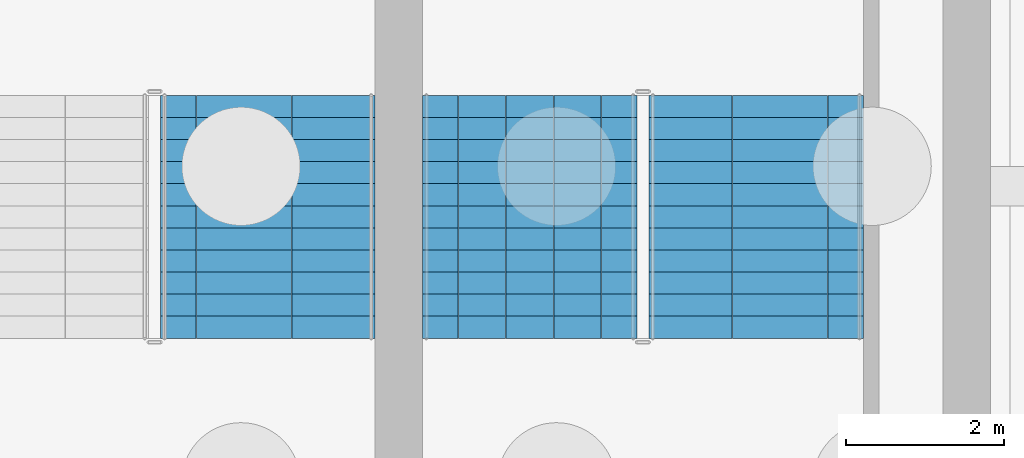
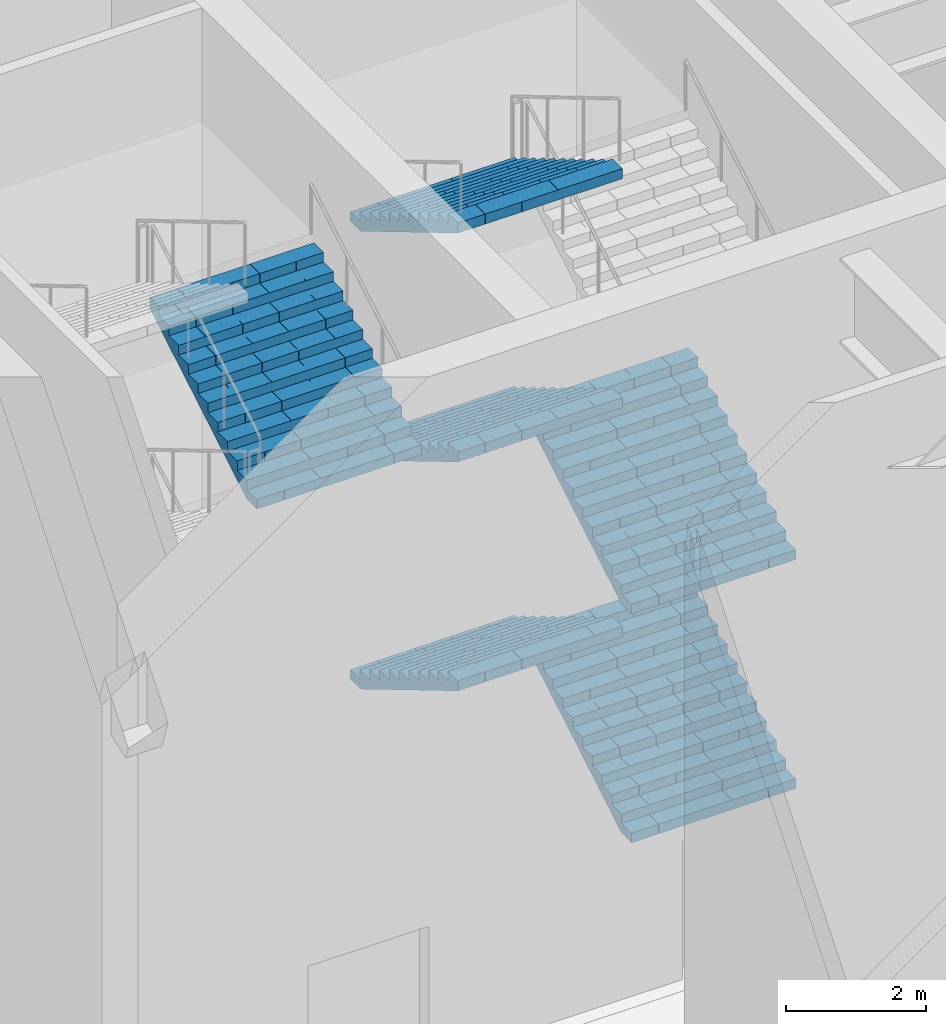
# One storey, part 20 of 34: 6 stair flights, 2 elements without a shape of their own.
"""IFC4 building model written with IfcOpenShell, lengths in metres."""

from ifc_helpers import new_model, si_unit, direction, frame, origin, place, context, subcontext, project, spatial, polyline, outline, extrude, material, type_object, element, aggregate, save


model = new_model("IFC4")

# Units and contexts
model_context = context("Model", 3, precision=1e-05, world=origin(), true_north=direction((0.0, 1.0)))
body_context = subcontext(model_context, "Body", "Model", "MODEL_VIEW")
ifc_project = project(units=[si_unit("LENGTHUNIT", "METRE"), si_unit("AREAUNIT", "SQUARE_METRE"), si_unit("VOLUMEUNIT", "CUBIC_METRE"), si_unit("PLANEANGLEUNIT", "RADIAN"), si_unit("MASSUNIT", "GRAM", prefix="KILO")], contexts=[model_context])

# Site, building, storey
site_placement = place(None, origin())
site = spatial("IfcSite", under=ifc_project, at=site_placement, CompositionType="ELEMENT")
building_placement = place(site_placement, origin())
building = spatial("IfcBuilding", under=site, at=building_placement, Name="Corbelhall Arena Tower", CompositionType="ELEMENT")
storey_placement = place(building_placement, origin())
storey = spatial("IfcBuildingStorey", under=building, at=storey_placement, Name="L00", CompositionType="ELEMENT", Elevation=0.0)

# Stair, stair flights
ifc_material = material(Name="Reinforced concrete C40/50", Category="concrete")
stair_type = type_object("IfcStairType", Name="AR-EXIT-STAIR", PredefinedType="HALF_TURN_STAIR", material=ifc_material)
stair_1_placement = place(storey_placement, origin())
stair_1 = element("IfcStair", 1, at=stair_1_placement, inside=storey, type_object=stair_type, Name="L00 exit stair AS3", PredefinedType="HALF_TURN_STAIR")
stair_flight_type = type_object("IfcStairFlightType", Name="AR-EXIT-FLIGHT", PredefinedType="STRAIGHT", material=ifc_material)
stair_flight_1_placement = place(storey_placement, frame((-35.969970703125, 27.320068359375, 0.0), z_axis=(0.0, 0.0, 1.0), x_axis=(0.0, 1.0, 0.0)))
stair_flight_1 = element("IfcStairFlight", 2, at=stair_flight_1_placement, type_object=stair_flight_type, Name="AS3 flight 1", NumberOfRisers=12, NumberOfTreads=11, PredefinedType="STRAIGHT", RiserHeight=0.166666667, TreadLength=0.28, context=body_context, shape_type="SweptSolid", body=[
    extrude(outline(polyline([(0.0, 0.0), (0.0, 0.166748046875), (0.280029296875, 0.166748046875), (0.280029296875, 0.333251953125), (0.56005859375, 0.333251953125), (0.56005859375, 0.5), (0.840087890625, 0.5), (0.840087890625, 0.666748046875), (1.1201171875, 0.666748046875), (1.1201171875, 0.833251953125), (1.39990234375, 0.833251953125), (1.39990234375, 1.0), (1.679931640625, 1.0), (1.679931640625, 1.166748046875), (1.9599609375, 1.166748046875), (1.9599609375, 1.333251953125), (2.239990234375, 1.333251953125), (2.239990234375, 1.5), (2.52001953125, 1.5), (2.52001953125, 1.666748046875), (2.800048828125, 1.666748046875), (2.800048828125, 1.833251953125), (3.080078125, 1.833251953125), (3.080078125, 2.0), (3.080078125, 1.658935546875), (0.29296875, 0.0), (0.0, 0.0)])), frame((0.0, 1.35986328125, 0.0), z_axis=(0.0, -1.0, 0.0), x_axis=(1.0, 0.0, 0.0)), (0.0, 0.0, 1.0), 0.449951171875),
    extrude(outline(polyline([(0.0, 0.0), (0.0, 0.166748046875), (0.280029296875, 0.166748046875), (0.280029296875, 0.333251953125), (0.56005859375, 0.333251953125), (0.56005859375, 0.5), (0.840087890625, 0.5), (0.840087890625, 0.666748046875), (1.1201171875, 0.666748046875), (1.1201171875, 0.833251953125), (1.39990234375, 0.833251953125), (1.39990234375, 1.0), (1.679931640625, 1.0), (1.679931640625, 1.166748046875), (1.9599609375, 1.166748046875), (1.9599609375, 1.333251953125), (2.239990234375, 1.333251953125), (2.239990234375, 1.5), (2.52001953125, 1.5), (2.52001953125, 1.666748046875), (2.800048828125, 1.666748046875), (2.800048828125, 1.833251953125), (3.080078125, 1.833251953125), (3.080078125, 2.0), (3.080078125, 1.658935546875), (0.29296875, 0.0), (0.0, 0.0)])), frame((0.0, 0.906005859375, 0.0), z_axis=(0.0, -1.0, 0.0), x_axis=(1.0, 0.0, 0.0)), (0.0, 0.0, 1.0), 0.601318359375),
    extrude(outline(polyline([(0.0, 0.0), (0.0, 0.166748046875), (0.280029296875, 0.166748046875), (0.280029296875, 0.333251953125), (0.56005859375, 0.333251953125), (0.56005859375, 0.5), (0.840087890625, 0.5), (0.840087890625, 0.666748046875), (1.1201171875, 0.666748046875), (1.1201171875, 0.833251953125), (1.39990234375, 0.833251953125), (1.39990234375, 1.0), (1.679931640625, 1.0), (1.679931640625, 1.166748046875), (1.9599609375, 1.166748046875), (1.9599609375, 1.333251953125), (2.239990234375, 1.333251953125), (2.239990234375, 1.5), (2.52001953125, 1.5), (2.52001953125, 1.666748046875), (2.800048828125, 1.666748046875), (2.800048828125, 1.833251953125), (3.080078125, 1.833251953125), (3.080078125, 2.0), (3.080078125, 1.658935546875), (0.29296875, 0.0), (0.0, 0.0)])), frame((0.0, 0.30078125, 0.0), z_axis=(0.0, -1.0, 0.0), x_axis=(1.0, 0.0, 0.0)), (0.0, 0.0, 1.0), 0.601318359375),
    extrude(outline(polyline([(0.0, 0.0), (0.0, 0.166748046875), (0.280029296875, 0.166748046875), (0.280029296875, 0.333251953125), (0.56005859375, 0.333251953125), (0.56005859375, 0.5), (0.840087890625, 0.5), (0.840087890625, 0.666748046875), (1.1201171875, 0.666748046875), (1.1201171875, 0.833251953125), (1.39990234375, 0.833251953125), (1.39990234375, 1.0), (1.679931640625, 1.0), (1.679931640625, 1.166748046875), (1.9599609375, 1.166748046875), (1.9599609375, 1.333251953125), (2.239990234375, 1.333251953125), (2.239990234375, 1.5), (2.52001953125, 1.5), (2.52001953125, 1.666748046875), (2.800048828125, 1.666748046875), (2.800048828125, 1.833251953125), (3.080078125, 1.833251953125), (3.080078125, 2.0), (3.080078125, 1.658935546875), (0.29296875, 0.0), (0.0, 0.0)])), frame((0.0, -0.3046875, 0.0), z_axis=(0.0, -1.0, 0.0), x_axis=(1.0, 0.0, 0.0)), (0.0, 0.0, 1.0), 0.601318359375),
    extrude(outline(polyline([(0.0, 0.0), (0.0, 0.166748046875), (0.280029296875, 0.166748046875), (0.280029296875, 0.333251953125), (0.56005859375, 0.333251953125), (0.56005859375, 0.5), (0.840087890625, 0.5), (0.840087890625, 0.666748046875), (1.1201171875, 0.666748046875), (1.1201171875, 0.833251953125), (1.39990234375, 0.833251953125), (1.39990234375, 1.0), (1.679931640625, 1.0), (1.679931640625, 1.166748046875), (1.9599609375, 1.166748046875), (1.9599609375, 1.333251953125), (2.239990234375, 1.333251953125), (2.239990234375, 1.5), (2.52001953125, 1.5), (2.52001953125, 1.666748046875), (2.800048828125, 1.666748046875), (2.800048828125, 1.833251953125), (3.080078125, 1.833251953125), (3.080078125, 2.0), (3.080078125, 1.658935546875), (0.29296875, 0.0), (0.0, 0.0)])), frame((0.0, -0.909912109375, 0.0), z_axis=(0.0, -1.0, 0.0), x_axis=(1.0, 0.0, 0.0)), (0.0, 0.0, 1.0), 0.449951171875),
])
stair_flight_2_placement = place(storey_placement, frame((-38.840087890625, 30.39990234375, 2.0), z_axis=(0.0, 0.0, 1.0), x_axis=(0.0, -1.0, 0.0)))
stair_flight_2 = element("IfcStairFlight", 3, at=stair_flight_2_placement, type_object=stair_flight_type, Name="AS3 flight 2", NumberOfRisers=12, NumberOfTreads=11, PredefinedType="STRAIGHT", RiserHeight=0.166666667, TreadLength=0.28, context=body_context, shape_type="SweptSolid", body=[
    extrude(outline(polyline([(0.0, 0.0), (0.0, 0.166748046875), (0.280029296875, 0.166748046875), (0.280029296875, 0.333251953125), (0.56005859375, 0.333251953125), (0.56005859375, 0.5), (0.840087890625, 0.5), (0.840087890625, 0.666748046875), (1.1201171875, 0.666748046875), (1.1201171875, 0.833251953125), (1.39990234375, 0.833251953125), (1.39990234375, 1.0), (1.679931640625, 1.0), (1.679931640625, 1.166748046875), (1.9599609375, 1.166748046875), (1.9599609375, 1.333251953125), (2.239990234375, 1.333251953125), (2.239990234375, 1.5), (2.52001953125, 1.5), (2.52001953125, 1.666748046875), (2.800048828125, 1.666748046875), (2.800048828125, 1.833251953125), (3.080078125, 1.833251953125), (3.080078125, 2.0), (3.080078125, 1.658935546875), (0.29296875, 0.0), (0.0, 0.0)])), frame((0.0, 1.35986328125, 0.0), z_axis=(0.0, -1.0, 0.0), x_axis=(1.0, 0.0, 0.0)), (0.0, 0.0, 1.0), 0.449951171875),
    extrude(outline(polyline([(0.0, 0.0), (0.0, 0.166748046875), (0.280029296875, 0.166748046875), (0.280029296875, 0.333251953125), (0.56005859375, 0.333251953125), (0.56005859375, 0.5), (0.840087890625, 0.5), (0.840087890625, 0.666748046875), (1.1201171875, 0.666748046875), (1.1201171875, 0.833251953125), (1.39990234375, 0.833251953125), (1.39990234375, 1.0), (1.679931640625, 1.0), (1.679931640625, 1.166748046875), (1.9599609375, 1.166748046875), (1.9599609375, 1.333251953125), (2.239990234375, 1.333251953125), (2.239990234375, 1.5), (2.52001953125, 1.5), (2.52001953125, 1.666748046875), (2.800048828125, 1.666748046875), (2.800048828125, 1.833251953125), (3.080078125, 1.833251953125), (3.080078125, 2.0), (3.080078125, 1.658935546875), (0.29296875, 0.0), (0.0, 0.0)])), frame((0.0, 0.906005859375, 0.0), z_axis=(0.0, -1.0, 0.0), x_axis=(1.0, 0.0, 0.0)), (0.0, 0.0, 1.0), 0.601318359375),
    extrude(outline(polyline([(0.0, 0.0), (0.0, 0.166748046875), (0.280029296875, 0.166748046875), (0.280029296875, 0.333251953125), (0.56005859375, 0.333251953125), (0.56005859375, 0.5), (0.840087890625, 0.5), (0.840087890625, 0.666748046875), (1.1201171875, 0.666748046875), (1.1201171875, 0.833251953125), (1.39990234375, 0.833251953125), (1.39990234375, 1.0), (1.679931640625, 1.0), (1.679931640625, 1.166748046875), (1.9599609375, 1.166748046875), (1.9599609375, 1.333251953125), (2.239990234375, 1.333251953125), (2.239990234375, 1.5), (2.52001953125, 1.5), (2.52001953125, 1.666748046875), (2.800048828125, 1.666748046875), (2.800048828125, 1.833251953125), (3.080078125, 1.833251953125), (3.080078125, 2.0), (3.080078125, 1.658935546875), (0.29296875, 0.0), (0.0, 0.0)])), frame((0.0, 0.30078125, 0.0), z_axis=(0.0, -1.0, 0.0), x_axis=(1.0, 0.0, 0.0)), (0.0, 0.0, 1.0), 0.601318359375),
    extrude(outline(polyline([(0.0, 0.0), (0.0, 0.166748046875), (0.280029296875, 0.166748046875), (0.280029296875, 0.333251953125), (0.56005859375, 0.333251953125), (0.56005859375, 0.5), (0.840087890625, 0.5), (0.840087890625, 0.666748046875), (1.1201171875, 0.666748046875), (1.1201171875, 0.833251953125), (1.39990234375, 0.833251953125), (1.39990234375, 1.0), (1.679931640625, 1.0), (1.679931640625, 1.166748046875), (1.9599609375, 1.166748046875), (1.9599609375, 1.333251953125), (2.239990234375, 1.333251953125), (2.239990234375, 1.5), (2.52001953125, 1.5), (2.52001953125, 1.666748046875), (2.800048828125, 1.666748046875), (2.800048828125, 1.833251953125), (3.080078125, 1.833251953125), (3.080078125, 2.0), (3.080078125, 1.658935546875), (0.29296875, 0.0), (0.0, 0.0)])), frame((0.0, -0.3046875, 0.0), z_axis=(0.0, -1.0, 0.0), x_axis=(1.0, 0.0, 0.0)), (0.0, 0.0, 1.0), 0.601318359375),
    extrude(outline(polyline([(0.0, 0.0), (0.0, 0.166748046875), (0.280029296875, 0.166748046875), (0.280029296875, 0.333251953125), (0.56005859375, 0.333251953125), (0.56005859375, 0.5), (0.840087890625, 0.5), (0.840087890625, 0.666748046875), (1.1201171875, 0.666748046875), (1.1201171875, 0.833251953125), (1.39990234375, 0.833251953125), (1.39990234375, 1.0), (1.679931640625, 1.0), (1.679931640625, 1.166748046875), (1.9599609375, 1.166748046875), (1.9599609375, 1.333251953125), (2.239990234375, 1.333251953125), (2.239990234375, 1.5), (2.52001953125, 1.5), (2.52001953125, 1.666748046875), (2.800048828125, 1.666748046875), (2.800048828125, 1.833251953125), (3.080078125, 1.833251953125), (3.080078125, 2.0), (3.080078125, 1.658935546875), (0.29296875, 0.0), (0.0, 0.0)])), frame((0.0, -0.909912109375, 0.0), z_axis=(0.0, -1.0, 0.0), x_axis=(1.0, 0.0, 0.0)), (0.0, 0.0, 1.0), 0.449951171875),
])
stair_flight_3_placement = place(storey_placement, frame((-35.969970703125, 27.320068359375, 4.0), z_axis=(0.0, 0.0, 1.0), x_axis=(0.0, 1.0, 0.0)))
stair_flight_3 = element("IfcStairFlight", 4, at=stair_flight_3_placement, type_object=stair_flight_type, Name="AS3 flight 3", NumberOfRisers=12, NumberOfTreads=11, PredefinedType="STRAIGHT", RiserHeight=0.166666667, TreadLength=0.28, context=body_context, shape_type="SweptSolid", body=[
    extrude(outline(polyline([(0.0, 0.0), (0.0, 0.166748046875), (0.280029296875, 0.166748046875), (0.280029296875, 0.333251953125), (0.56005859375, 0.333251953125), (0.56005859375, 0.5), (0.840087890625, 0.5), (0.840087890625, 0.666748046875), (1.1201171875, 0.666748046875), (1.1201171875, 0.833251953125), (1.39990234375, 0.833251953125), (1.39990234375, 1.0), (1.679931640625, 1.0), (1.679931640625, 1.166748046875), (1.9599609375, 1.166748046875), (1.9599609375, 1.333251953125), (2.239990234375, 1.333251953125), (2.239990234375, 1.5), (2.52001953125, 1.5), (2.52001953125, 1.666748046875), (2.800048828125, 1.666748046875), (2.800048828125, 1.833251953125), (3.080078125, 1.833251953125), (3.080078125, 2.0), (3.080078125, 1.658935546875), (0.29296875, 0.0), (0.0, 0.0)])), frame((0.0, 1.35986328125, 0.0), z_axis=(0.0, -1.0, 0.0), x_axis=(1.0, 0.0, 0.0)), (0.0, 0.0, 1.0), 0.449951171875),
    extrude(outline(polyline([(0.0, 0.0), (0.0, 0.166748046875), (0.280029296875, 0.166748046875), (0.280029296875, 0.333251953125), (0.56005859375, 0.333251953125), (0.56005859375, 0.5), (0.840087890625, 0.5), (0.840087890625, 0.666748046875), (1.1201171875, 0.666748046875), (1.1201171875, 0.833251953125), (1.39990234375, 0.833251953125), (1.39990234375, 1.0), (1.679931640625, 1.0), (1.679931640625, 1.166748046875), (1.9599609375, 1.166748046875), (1.9599609375, 1.333251953125), (2.239990234375, 1.333251953125), (2.239990234375, 1.5), (2.52001953125, 1.5), (2.52001953125, 1.666748046875), (2.800048828125, 1.666748046875), (2.800048828125, 1.833251953125), (3.080078125, 1.833251953125), (3.080078125, 2.0), (3.080078125, 1.658935546875), (0.29296875, 0.0), (0.0, 0.0)])), frame((0.0, 0.906005859375, 0.0), z_axis=(0.0, -1.0, 0.0), x_axis=(1.0, 0.0, 0.0)), (0.0, 0.0, 1.0), 0.601318359375),
    extrude(outline(polyline([(0.0, 0.0), (0.0, 0.166748046875), (0.280029296875, 0.166748046875), (0.280029296875, 0.333251953125), (0.56005859375, 0.333251953125), (0.56005859375, 0.5), (0.840087890625, 0.5), (0.840087890625, 0.666748046875), (1.1201171875, 0.666748046875), (1.1201171875, 0.833251953125), (1.39990234375, 0.833251953125), (1.39990234375, 1.0), (1.679931640625, 1.0), (1.679931640625, 1.166748046875), (1.9599609375, 1.166748046875), (1.9599609375, 1.333251953125), (2.239990234375, 1.333251953125), (2.239990234375, 1.5), (2.52001953125, 1.5), (2.52001953125, 1.666748046875), (2.800048828125, 1.666748046875), (2.800048828125, 1.833251953125), (3.080078125, 1.833251953125), (3.080078125, 2.0), (3.080078125, 1.658935546875), (0.29296875, 0.0), (0.0, 0.0)])), frame((0.0, 0.30078125, 0.0), z_axis=(0.0, -1.0, 0.0), x_axis=(1.0, 0.0, 0.0)), (0.0, 0.0, 1.0), 0.601318359375),
    extrude(outline(polyline([(0.0, 0.0), (0.0, 0.166748046875), (0.280029296875, 0.166748046875), (0.280029296875, 0.333251953125), (0.56005859375, 0.333251953125), (0.56005859375, 0.5), (0.840087890625, 0.5), (0.840087890625, 0.666748046875), (1.1201171875, 0.666748046875), (1.1201171875, 0.833251953125), (1.39990234375, 0.833251953125), (1.39990234375, 1.0), (1.679931640625, 1.0), (1.679931640625, 1.166748046875), (1.9599609375, 1.166748046875), (1.9599609375, 1.333251953125), (2.239990234375, 1.333251953125), (2.239990234375, 1.5), (2.52001953125, 1.5), (2.52001953125, 1.666748046875), (2.800048828125, 1.666748046875), (2.800048828125, 1.833251953125), (3.080078125, 1.833251953125), (3.080078125, 2.0), (3.080078125, 1.658935546875), (0.29296875, 0.0), (0.0, 0.0)])), frame((0.0, -0.3046875, 0.0), z_axis=(0.0, -1.0, 0.0), x_axis=(1.0, 0.0, 0.0)), (0.0, 0.0, 1.0), 0.601318359375),
    extrude(outline(polyline([(0.0, 0.0), (0.0, 0.166748046875), (0.280029296875, 0.166748046875), (0.280029296875, 0.333251953125), (0.56005859375, 0.333251953125), (0.56005859375, 0.5), (0.840087890625, 0.5), (0.840087890625, 0.666748046875), (1.1201171875, 0.666748046875), (1.1201171875, 0.833251953125), (1.39990234375, 0.833251953125), (1.39990234375, 1.0), (1.679931640625, 1.0), (1.679931640625, 1.166748046875), (1.9599609375, 1.166748046875), (1.9599609375, 1.333251953125), (2.239990234375, 1.333251953125), (2.239990234375, 1.5), (2.52001953125, 1.5), (2.52001953125, 1.666748046875), (2.800048828125, 1.666748046875), (2.800048828125, 1.833251953125), (3.080078125, 1.833251953125), (3.080078125, 2.0), (3.080078125, 1.658935546875), (0.29296875, 0.0), (0.0, 0.0)])), frame((0.0, -0.909912109375, 0.0), z_axis=(0.0, -1.0, 0.0), x_axis=(1.0, 0.0, 0.0)), (0.0, 0.0, 1.0), 0.449951171875),
])
stair_flight_4_placement = place(storey_placement, frame((-38.840087890625, 30.39990234375, 6.0), z_axis=(0.0, 0.0, 1.0), x_axis=(0.0, -1.0, 0.0)))
stair_flight_4 = element("IfcStairFlight", 5, at=stair_flight_4_placement, type_object=stair_flight_type, Name="AS3 flight 4", NumberOfRisers=12, NumberOfTreads=11, PredefinedType="STRAIGHT", RiserHeight=0.166666667, TreadLength=0.28, context=body_context, shape_type="SweptSolid", body=[
    extrude(outline(polyline([(0.0, 0.0), (0.0, 0.166748046875), (0.280029296875, 0.166748046875), (0.280029296875, 0.333251953125), (0.56005859375, 0.333251953125), (0.56005859375, 0.5), (0.840087890625, 0.5), (0.840087890625, 0.666748046875), (1.1201171875, 0.666748046875), (1.1201171875, 0.833251953125), (1.39990234375, 0.833251953125), (1.39990234375, 1.0), (1.679931640625, 1.0), (1.679931640625, 1.166748046875), (1.9599609375, 1.166748046875), (1.9599609375, 1.333251953125), (2.239990234375, 1.333251953125), (2.239990234375, 1.5), (2.52001953125, 1.5), (2.52001953125, 1.666748046875), (2.800048828125, 1.666748046875), (2.800048828125, 1.833251953125), (3.080078125, 1.833251953125), (3.080078125, 2.0), (3.080078125, 1.658935546875), (0.29296875, 0.0), (0.0, 0.0)])), frame((0.0, 1.35986328125, 0.0), z_axis=(0.0, -1.0, 0.0), x_axis=(1.0, 0.0, 0.0)), (0.0, 0.0, 1.0), 0.449951171875),
    extrude(outline(polyline([(0.0, 0.0), (0.0, 0.166748046875), (0.280029296875, 0.166748046875), (0.280029296875, 0.333251953125), (0.56005859375, 0.333251953125), (0.56005859375, 0.5), (0.840087890625, 0.5), (0.840087890625, 0.666748046875), (1.1201171875, 0.666748046875), (1.1201171875, 0.833251953125), (1.39990234375, 0.833251953125), (1.39990234375, 1.0), (1.679931640625, 1.0), (1.679931640625, 1.166748046875), (1.9599609375, 1.166748046875), (1.9599609375, 1.333251953125), (2.239990234375, 1.333251953125), (2.239990234375, 1.5), (2.52001953125, 1.5), (2.52001953125, 1.666748046875), (2.800048828125, 1.666748046875), (2.800048828125, 1.833251953125), (3.080078125, 1.833251953125), (3.080078125, 2.0), (3.080078125, 1.658935546875), (0.29296875, 0.0), (0.0, 0.0)])), frame((0.0, 0.906005859375, 0.0), z_axis=(0.0, -1.0, 0.0), x_axis=(1.0, 0.0, 0.0)), (0.0, 0.0, 1.0), 0.601318359375),
    extrude(outline(polyline([(0.0, 0.0), (0.0, 0.166748046875), (0.280029296875, 0.166748046875), (0.280029296875, 0.333251953125), (0.56005859375, 0.333251953125), (0.56005859375, 0.5), (0.840087890625, 0.5), (0.840087890625, 0.666748046875), (1.1201171875, 0.666748046875), (1.1201171875, 0.833251953125), (1.39990234375, 0.833251953125), (1.39990234375, 1.0), (1.679931640625, 1.0), (1.679931640625, 1.166748046875), (1.9599609375, 1.166748046875), (1.9599609375, 1.333251953125), (2.239990234375, 1.333251953125), (2.239990234375, 1.5), (2.52001953125, 1.5), (2.52001953125, 1.666748046875), (2.800048828125, 1.666748046875), (2.800048828125, 1.833251953125), (3.080078125, 1.833251953125), (3.080078125, 2.0), (3.080078125, 1.658935546875), (0.29296875, 0.0), (0.0, 0.0)])), frame((0.0, 0.30078125, 0.0), z_axis=(0.0, -1.0, 0.0), x_axis=(1.0, 0.0, 0.0)), (0.0, 0.0, 1.0), 0.601318359375),
    extrude(outline(polyline([(0.0, 0.0), (0.0, 0.166748046875), (0.280029296875, 0.166748046875), (0.280029296875, 0.333251953125), (0.56005859375, 0.333251953125), (0.56005859375, 0.5), (0.840087890625, 0.5), (0.840087890625, 0.666748046875), (1.1201171875, 0.666748046875), (1.1201171875, 0.833251953125), (1.39990234375, 0.833251953125), (1.39990234375, 1.0), (1.679931640625, 1.0), (1.679931640625, 1.166748046875), (1.9599609375, 1.166748046875), (1.9599609375, 1.333251953125), (2.239990234375, 1.333251953125), (2.239990234375, 1.5), (2.52001953125, 1.5), (2.52001953125, 1.666748046875), (2.800048828125, 1.666748046875), (2.800048828125, 1.833251953125), (3.080078125, 1.833251953125), (3.080078125, 2.0), (3.080078125, 1.658935546875), (0.29296875, 0.0), (0.0, 0.0)])), frame((0.0, -0.3046875, 0.0), z_axis=(0.0, -1.0, 0.0), x_axis=(1.0, 0.0, 0.0)), (0.0, 0.0, 1.0), 0.601318359375),
    extrude(outline(polyline([(0.0, 0.0), (0.0, 0.166748046875), (0.280029296875, 0.166748046875), (0.280029296875, 0.333251953125), (0.56005859375, 0.333251953125), (0.56005859375, 0.5), (0.840087890625, 0.5), (0.840087890625, 0.666748046875), (1.1201171875, 0.666748046875), (1.1201171875, 0.833251953125), (1.39990234375, 0.833251953125), (1.39990234375, 1.0), (1.679931640625, 1.0), (1.679931640625, 1.166748046875), (1.9599609375, 1.166748046875), (1.9599609375, 1.333251953125), (2.239990234375, 1.333251953125), (2.239990234375, 1.5), (2.52001953125, 1.5), (2.52001953125, 1.666748046875), (2.800048828125, 1.666748046875), (2.800048828125, 1.833251953125), (3.080078125, 1.833251953125), (3.080078125, 2.0), (3.080078125, 1.658935546875), (0.29296875, 0.0), (0.0, 0.0)])), frame((0.0, -0.909912109375, 0.0), z_axis=(0.0, -1.0, 0.0), x_axis=(1.0, 0.0, 0.0)), (0.0, 0.0, 1.0), 0.449951171875),
])
stair_flight_5_placement = place(storey_placement, frame((-38.840087890625, 30.39990234375, 10.0), z_axis=(0.0, 0.0, 1.0), x_axis=(0.0, -1.0, 0.0)))
stair_flight_5 = element("IfcStairFlight", 6, at=stair_flight_5_placement, type_object=stair_flight_type, Name="AS3 flight 6", NumberOfRisers=12, NumberOfTreads=11, PredefinedType="STRAIGHT", RiserHeight=0.166666667, TreadLength=0.28, context=body_context, shape_type="SweptSolid", body=[
    extrude(outline(polyline([(0.0, 0.0), (0.0, 0.166748046875), (0.280029296875, 0.166748046875), (0.280029296875, 0.333251953125), (0.56005859375, 0.333251953125), (0.56005859375, 0.5), (0.840087890625, 0.5), (0.840087890625, 0.666748046875), (1.1201171875, 0.666748046875), (1.1201171875, 0.833251953125), (1.39990234375, 0.833251953125), (1.39990234375, 1.0), (1.679931640625, 1.0), (1.679931640625, 1.166748046875), (1.9599609375, 1.166748046875), (1.9599609375, 1.333251953125), (2.239990234375, 1.333251953125), (2.239990234375, 1.5), (2.52001953125, 1.5), (2.52001953125, 1.666748046875), (2.800048828125, 1.666748046875), (2.800048828125, 1.833251953125), (3.080078125, 1.833251953125), (3.080078125, 2.0), (3.080078125, 1.658935546875), (0.29296875, 0.0), (0.0, 0.0)])), frame((0.0, 1.35986328125, 0.0), z_axis=(0.0, -1.0, 0.0), x_axis=(1.0, 0.0, 0.0)), (0.0, 0.0, 1.0), 0.449951171875),
    extrude(outline(polyline([(0.0, 0.0), (0.0, 0.166748046875), (0.280029296875, 0.166748046875), (0.280029296875, 0.333251953125), (0.56005859375, 0.333251953125), (0.56005859375, 0.5), (0.840087890625, 0.5), (0.840087890625, 0.666748046875), (1.1201171875, 0.666748046875), (1.1201171875, 0.833251953125), (1.39990234375, 0.833251953125), (1.39990234375, 1.0), (1.679931640625, 1.0), (1.679931640625, 1.166748046875), (1.9599609375, 1.166748046875), (1.9599609375, 1.333251953125), (2.239990234375, 1.333251953125), (2.239990234375, 1.5), (2.52001953125, 1.5), (2.52001953125, 1.666748046875), (2.800048828125, 1.666748046875), (2.800048828125, 1.833251953125), (3.080078125, 1.833251953125), (3.080078125, 2.0), (3.080078125, 1.658935546875), (0.29296875, 0.0), (0.0, 0.0)])), frame((0.0, 0.906005859375, 0.0), z_axis=(0.0, -1.0, 0.0), x_axis=(1.0, 0.0, 0.0)), (0.0, 0.0, 1.0), 0.601318359375),
    extrude(outline(polyline([(0.0, 0.0), (0.0, 0.166748046875), (0.280029296875, 0.166748046875), (0.280029296875, 0.333251953125), (0.56005859375, 0.333251953125), (0.56005859375, 0.5), (0.840087890625, 0.5), (0.840087890625, 0.666748046875), (1.1201171875, 0.666748046875), (1.1201171875, 0.833251953125), (1.39990234375, 0.833251953125), (1.39990234375, 1.0), (1.679931640625, 1.0), (1.679931640625, 1.166748046875), (1.9599609375, 1.166748046875), (1.9599609375, 1.333251953125), (2.239990234375, 1.333251953125), (2.239990234375, 1.5), (2.52001953125, 1.5), (2.52001953125, 1.666748046875), (2.800048828125, 1.666748046875), (2.800048828125, 1.833251953125), (3.080078125, 1.833251953125), (3.080078125, 2.0), (3.080078125, 1.658935546875), (0.29296875, 0.0), (0.0, 0.0)])), frame((0.0, 0.30078125, 0.0), z_axis=(0.0, -1.0, 0.0), x_axis=(1.0, 0.0, 0.0)), (0.0, 0.0, 1.0), 0.601318359375),
    extrude(outline(polyline([(0.0, 0.0), (0.0, 0.166748046875), (0.280029296875, 0.166748046875), (0.280029296875, 0.333251953125), (0.56005859375, 0.333251953125), (0.56005859375, 0.5), (0.840087890625, 0.5), (0.840087890625, 0.666748046875), (1.1201171875, 0.666748046875), (1.1201171875, 0.833251953125), (1.39990234375, 0.833251953125), (1.39990234375, 1.0), (1.679931640625, 1.0), (1.679931640625, 1.166748046875), (1.9599609375, 1.166748046875), (1.9599609375, 1.333251953125), (2.239990234375, 1.333251953125), (2.239990234375, 1.5), (2.52001953125, 1.5), (2.52001953125, 1.666748046875), (2.800048828125, 1.666748046875), (2.800048828125, 1.833251953125), (3.080078125, 1.833251953125), (3.080078125, 2.0), (3.080078125, 1.658935546875), (0.29296875, 0.0), (0.0, 0.0)])), frame((0.0, -0.3046875, 0.0), z_axis=(0.0, -1.0, 0.0), x_axis=(1.0, 0.0, 0.0)), (0.0, 0.0, 1.0), 0.601318359375),
    extrude(outline(polyline([(0.0, 0.0), (0.0, 0.166748046875), (0.280029296875, 0.166748046875), (0.280029296875, 0.333251953125), (0.56005859375, 0.333251953125), (0.56005859375, 0.5), (0.840087890625, 0.5), (0.840087890625, 0.666748046875), (1.1201171875, 0.666748046875), (1.1201171875, 0.833251953125), (1.39990234375, 0.833251953125), (1.39990234375, 1.0), (1.679931640625, 1.0), (1.679931640625, 1.166748046875), (1.9599609375, 1.166748046875), (1.9599609375, 1.333251953125), (2.239990234375, 1.333251953125), (2.239990234375, 1.5), (2.52001953125, 1.5), (2.52001953125, 1.666748046875), (2.800048828125, 1.666748046875), (2.800048828125, 1.833251953125), (3.080078125, 1.833251953125), (3.080078125, 2.0), (3.080078125, 1.658935546875), (0.29296875, 0.0), (0.0, 0.0)])), frame((0.0, -0.909912109375, 0.0), z_axis=(0.0, -1.0, 0.0), x_axis=(1.0, 0.0, 0.0)), (0.0, 0.0, 1.0), 0.449951171875),
])
aggregate(stair_1, [stair_flight_1, stair_flight_2, stair_flight_3, stair_flight_4, stair_flight_5])

# Stair, stair flight
stair_2_placement = place(storey_placement, origin())
stair_2 = element("IfcStair", 7, at=stair_2_placement, inside=storey, type_object=stair_type, Name="L00 exit stair AS4", PredefinedType="HALF_TURN_STAIR")
stair_flight_6_placement = place(storey_placement, frame((-42.159912109375, 27.320068359375, 8.0), z_axis=(0.0, 0.0, 1.0), x_axis=(0.0, 1.0, 0.0)))
stair_flight_6 = element("IfcStairFlight", 8, at=stair_flight_6_placement, type_object=stair_flight_type, Name="AS4 flight 5", NumberOfRisers=12, NumberOfTreads=11, PredefinedType="STRAIGHT", RiserHeight=0.166666667, TreadLength=0.28, context=body_context, shape_type="SweptSolid", body=[
    extrude(outline(polyline([(0.0, 0.0), (0.0, 0.166748046875), (0.280029296875, 0.166748046875), (0.280029296875, 0.333251953125), (0.56005859375, 0.333251953125), (0.56005859375, 0.5), (0.840087890625, 0.5), (0.840087890625, 0.666748046875), (1.1201171875, 0.666748046875), (1.1201171875, 0.833251953125), (1.39990234375, 0.833251953125), (1.39990234375, 1.0), (1.679931640625, 1.0), (1.679931640625, 1.166748046875), (1.9599609375, 1.166748046875), (1.9599609375, 1.333251953125), (2.239990234375, 1.333251953125), (2.239990234375, 1.5), (2.52001953125, 1.5), (2.52001953125, 1.666748046875), (2.800048828125, 1.666748046875), (2.800048828125, 1.833251953125), (3.080078125, 1.833251953125), (3.080078125, 2.0), (3.080078125, 1.658935546875), (0.29296875, 0.0), (0.0, 0.0)])), frame((0.0, 1.35986328125, 0.0), z_axis=(0.0, -1.0, 0.0), x_axis=(1.0, 0.0, 0.0)), (0.0, 0.0, 1.0), 0.449951171875),
    extrude(outline(polyline([(0.0, 0.0), (0.0, 0.166748046875), (0.280029296875, 0.166748046875), (0.280029296875, 0.333251953125), (0.56005859375, 0.333251953125), (0.56005859375, 0.5), (0.840087890625, 0.5), (0.840087890625, 0.666748046875), (1.1201171875, 0.666748046875), (1.1201171875, 0.833251953125), (1.39990234375, 0.833251953125), (1.39990234375, 1.0), (1.679931640625, 1.0), (1.679931640625, 1.166748046875), (1.9599609375, 1.166748046875), (1.9599609375, 1.333251953125), (2.239990234375, 1.333251953125), (2.239990234375, 1.5), (2.52001953125, 1.5), (2.52001953125, 1.666748046875), (2.800048828125, 1.666748046875), (2.800048828125, 1.833251953125), (3.080078125, 1.833251953125), (3.080078125, 2.0), (3.080078125, 1.658935546875), (0.29296875, 0.0), (0.0, 0.0)])), frame((0.0, 0.906005859375, 0.0), z_axis=(0.0, -1.0, 0.0), x_axis=(1.0, 0.0, 0.0)), (0.0, 0.0, 1.0), 0.601318359375),
    extrude(outline(polyline([(0.0, 0.0), (0.0, 0.166748046875), (0.280029296875, 0.166748046875), (0.280029296875, 0.333251953125), (0.56005859375, 0.333251953125), (0.56005859375, 0.5), (0.840087890625, 0.5), (0.840087890625, 0.666748046875), (1.1201171875, 0.666748046875), (1.1201171875, 0.833251953125), (1.39990234375, 0.833251953125), (1.39990234375, 1.0), (1.679931640625, 1.0), (1.679931640625, 1.166748046875), (1.9599609375, 1.166748046875), (1.9599609375, 1.333251953125), (2.239990234375, 1.333251953125), (2.239990234375, 1.5), (2.52001953125, 1.5), (2.52001953125, 1.666748046875), (2.800048828125, 1.666748046875), (2.800048828125, 1.833251953125), (3.080078125, 1.833251953125), (3.080078125, 2.0), (3.080078125, 1.658935546875), (0.29296875, 0.0), (0.0, 0.0)])), frame((0.0, 0.30078125, 0.0), z_axis=(0.0, -1.0, 0.0), x_axis=(1.0, 0.0, 0.0)), (0.0, 0.0, 1.0), 0.601318359375),
    extrude(outline(polyline([(0.0, 0.0), (0.0, 0.166748046875), (0.280029296875, 0.166748046875), (0.280029296875, 0.333251953125), (0.56005859375, 0.333251953125), (0.56005859375, 0.5), (0.840087890625, 0.5), (0.840087890625, 0.666748046875), (1.1201171875, 0.666748046875), (1.1201171875, 0.833251953125), (1.39990234375, 0.833251953125), (1.39990234375, 1.0), (1.679931640625, 1.0), (1.679931640625, 1.166748046875), (1.9599609375, 1.166748046875), (1.9599609375, 1.333251953125), (2.239990234375, 1.333251953125), (2.239990234375, 1.5), (2.52001953125, 1.5), (2.52001953125, 1.666748046875), (2.800048828125, 1.666748046875), (2.800048828125, 1.833251953125), (3.080078125, 1.833251953125), (3.080078125, 2.0), (3.080078125, 1.658935546875), (0.29296875, 0.0), (0.0, 0.0)])), frame((0.0, -0.3046875, 0.0), z_axis=(0.0, -1.0, 0.0), x_axis=(1.0, 0.0, 0.0)), (0.0, 0.0, 1.0), 0.601318359375),
    extrude(outline(polyline([(0.0, 0.0), (0.0, 0.166748046875), (0.280029296875, 0.166748046875), (0.280029296875, 0.333251953125), (0.56005859375, 0.333251953125), (0.56005859375, 0.5), (0.840087890625, 0.5), (0.840087890625, 0.666748046875), (1.1201171875, 0.666748046875), (1.1201171875, 0.833251953125), (1.39990234375, 0.833251953125), (1.39990234375, 1.0), (1.679931640625, 1.0), (1.679931640625, 1.166748046875), (1.9599609375, 1.166748046875), (1.9599609375, 1.333251953125), (2.239990234375, 1.333251953125), (2.239990234375, 1.5), (2.52001953125, 1.5), (2.52001953125, 1.666748046875), (2.800048828125, 1.666748046875), (2.800048828125, 1.833251953125), (3.080078125, 1.833251953125), (3.080078125, 2.0), (3.080078125, 1.658935546875), (0.29296875, 0.0), (0.0, 0.0)])), frame((0.0, -0.909912109375, 0.0), z_axis=(0.0, -1.0, 0.0), x_axis=(1.0, 0.0, 0.0)), (0.0, 0.0, 1.0), 0.449951171875),
])
aggregate(stair_2, [stair_flight_6])

save(model, "model.ifc")
